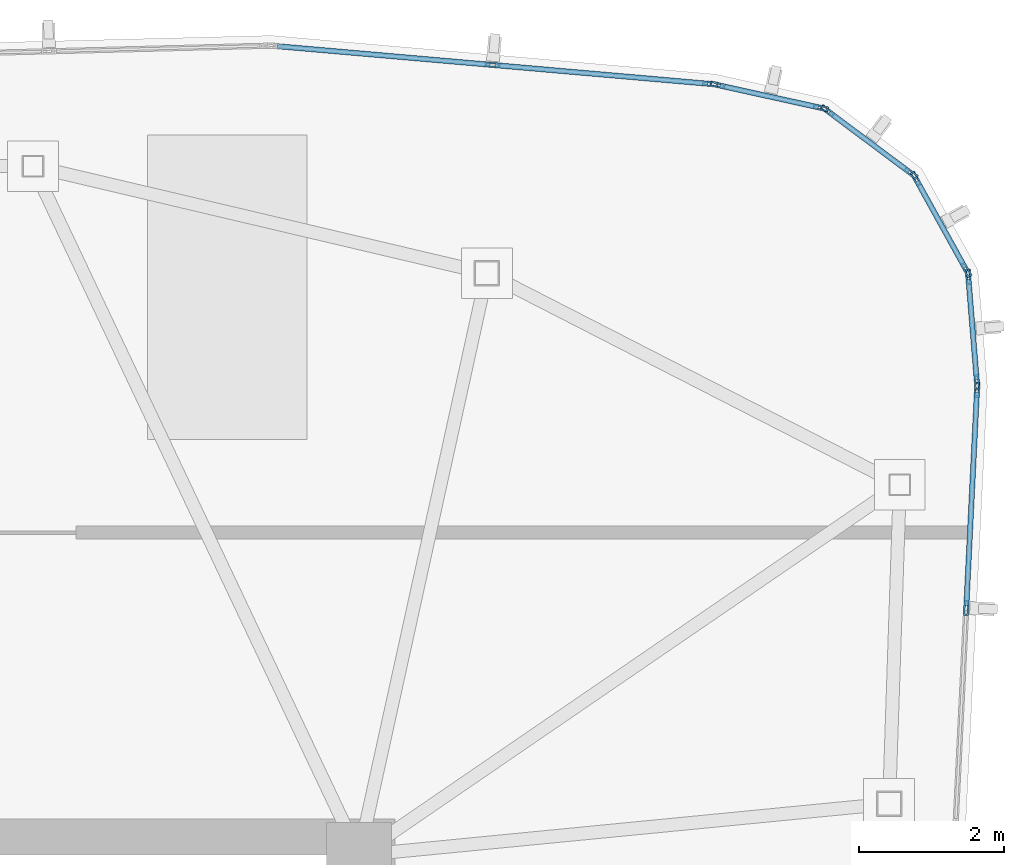
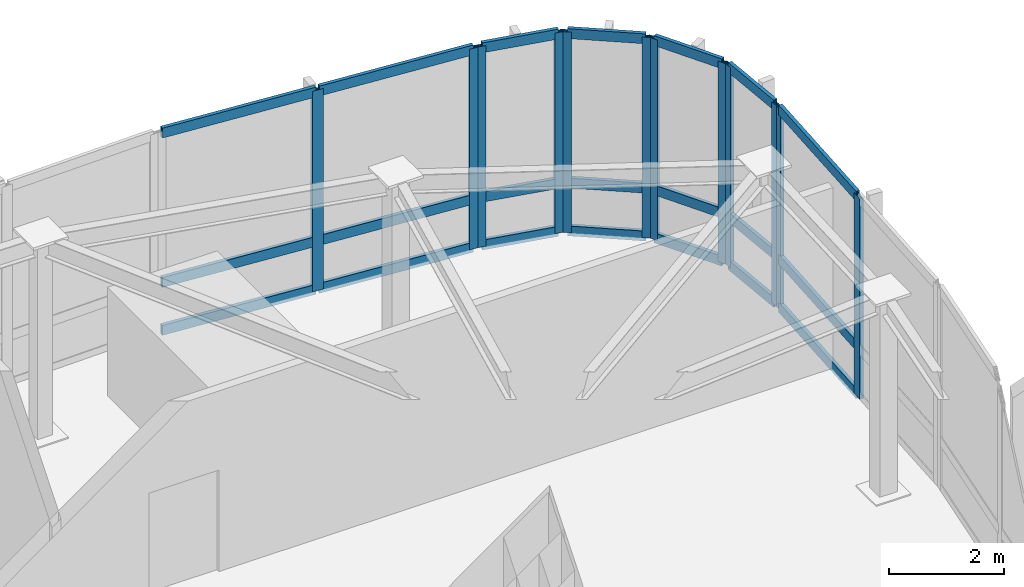
# One storey, part 4 of 10: 33 members, 6 elements without a shape of their own.
"""IFC4 building model written with IfcOpenShell, lengths in metres."""

from ifc_helpers import new_model, si_unit, direction, frame, origin, origin_2d, place, context, subcontext, project, spatial, hollow_rectangle, extrude, source, transform, mapped, material, layer, layer_set, material_profile, profile_set, type_object, type_shapes, element, aggregate, save


model = new_model("IFC4")

# Units and contexts
model_context = context("Model", 3, precision=1e-05, world=origin(), true_north=direction((0.0, 1.0)))
body_context = subcontext(model_context, "Body", "Model", "MODEL_VIEW")
ifc_project = project(units=[si_unit("LENGTHUNIT", "METRE"), si_unit("AREAUNIT", "SQUARE_METRE"), si_unit("VOLUMEUNIT", "CUBIC_METRE"), si_unit("PLANEANGLEUNIT", "RADIAN"), si_unit("MASSUNIT", "GRAM", prefix="KILO")], contexts=[model_context])

# Site, building, storey
site_placement = place(None, origin())
site = spatial("IfcSite", under=ifc_project, at=site_placement, CompositionType="ELEMENT")
building_placement = place(site_placement, origin())
building = spatial("IfcBuilding", under=site, at=building_placement, Name="Tavelor Broadcast Tower", CompositionType="ELEMENT")
storey_placement = place(building_placement, frame((0.0, 0.0, 350.5)))
storey = spatial("IfcBuildingStorey", under=building, at=storey_placement, Name="L83", CompositionType="ELEMENT", Elevation=350.5)

# Curtain wall, members
ifc_material = material(Name="Architectural Anodized Aluminium", Category="aluminium")
ifc_layer = layer(ifc_material, 0.2099609375)
ifc_layer_set = layer_set([ifc_layer], Name="Architectural Anodized Aluminium")
curtain_wall_type = type_object("IfcCurtainWallType", Name="Split-Crown Beacon Curtain Wall CW06", PredefinedType="NOTDEFINED", material=ifc_layer_set)
curtain_wall_1_placement = place(storey_placement, origin())
curtain_wall_1 = element("IfcCurtainWall", 1, at=curtain_wall_1_placement, inside=storey, type_object=curtain_wall_type, Name="L83 Curtain Wall CW06 Run 973", PredefinedType="NOTDEFINED")
ifc_material_profile_1 = material_profile(ifc_material, hollow_rectangle(XDim=0.072021484375, YDim=0.2099609375, WallThickness=0.02197265625, at=origin_2d()), Name="RHS 72x210x22")
ifc_profile_set_1 = profile_set([ifc_material_profile_1], Name="Architectural Anodized Aluminium")
member_type_1 = type_object("IfcMemberType", Name="CW06 Extruded Aluminium Mullion 72x210", PredefinedType="MULLION", material=ifc_profile_set_1)
shared_shape_1 = source(origin(), body_context, "Body", "SweptSolid", [
    extrude(hollow_rectangle(XDim=0.072021484375, YDim=0.2099609375, WallThickness=0.02197265625, at=origin_2d()), origin(), (0.0, 0.0, 1.0), 4.25),
])
type_shapes(member_type_1, [shared_shape_1])
member_1_placement = place(storey_placement, frame((64.974853515625, 54.610107421875, 0.0), z_axis=(0.0, 0.0, 1.0), x_axis=(-0.998788745619, 0.049204081376, 0.0)))
member_1 = element("IfcMember", 2, at=member_1_placement, type_object=member_type_1, Name="CW06 mullion 2", PredefinedType="MULLION", context=body_context, shape_type="MappedRepresentation", body=[
    mapped(shared_shape_1, transform((0.0, 0.0, 0.0), scale=1.0)),
])
member_2_placement = place(storey_placement, frame((65.123291015625, 57.6201171875, 0.0), z_axis=(0.0, 0.0, 1.0), x_axis=(-0.998788745619, 0.049204081376, 0.0)))
member_2 = element("IfcMember", 3, at=member_2_placement, type_object=member_type_1, Name="CW06 mullion 3", PredefinedType="MULLION", context=body_context, shape_type="MappedRepresentation", body=[
    mapped(shared_shape_1, transform((0.0, 0.0, 0.0), scale=1.0)),
])

curtain_wall_2_placement = place(storey_placement, origin())
curtain_wall_2 = element("IfcCurtainWall", 4, at=curtain_wall_2_placement, inside=storey, type_object=curtain_wall_type, Name="L83 Curtain Wall CW06 Run 974", PredefinedType="NOTDEFINED")
member_3_placement = place(storey_placement, frame((65.12158203125, 57.7216796875, 0.0), z_axis=(0.0, 0.0, 1.0), x_axis=(-0.996705118958, -0.081110454581, 0.0)))
member_3 = element("IfcMember", 5, at=member_3_placement, type_object=member_type_1, Name="CW06 mullion 1", PredefinedType="MULLION", context=body_context, shape_type="MappedRepresentation", body=[
    mapped(shared_shape_1, transform((0.0, 0.0, 0.0), scale=1.0)),
])
member_4_placement = place(storey_placement, frame((65.003173828125, 59.17626953125, 0.0), z_axis=(0.0, 0.0, 1.0), x_axis=(-0.996705118958, -0.081110454581, 0.0)))
member_4 = element("IfcMember", 6, at=member_4_placement, type_object=member_type_1, Name="CW06 mullion 2", PredefinedType="MULLION", context=body_context, shape_type="MappedRepresentation", body=[
    mapped(shared_shape_1, transform((0.0, 0.0, 0.0), scale=1.0)),
])

curtain_wall_3_placement = place(storey_placement, origin())
curtain_wall_3 = element("IfcCurtainWall", 7, at=curtain_wall_3_placement, inside=storey, type_object=curtain_wall_type, Name="L83 Curtain Wall CW06 Run 975", PredefinedType="NOTDEFINED")
member_5_placement = place(storey_placement, frame((64.974365234375, 59.271484375, 0.0), z_axis=(0.0, 0.0, 1.0), x_axis=(-0.875030461693, -0.484067857959, 0.0)))
member_5 = element("IfcMember", 8, at=member_5_placement, type_object=member_type_1, Name="CW06 mullion 1", PredefinedType="MULLION", context=body_context, shape_type="MappedRepresentation", body=[
    mapped(shared_shape_1, transform((0.0, 0.0, 0.0), scale=1.0)),
])
member_6_placement = place(storey_placement, frame((64.2783203125, 60.530029296875, 0.0), z_axis=(0.0, 0.0, 1.0), x_axis=(-0.875030461693, -0.484067857959, 0.0)))
member_6 = element("IfcMember", 9, at=member_6_placement, type_object=member_type_1, Name="CW06 mullion 2", PredefinedType="MULLION", context=body_context, shape_type="MappedRepresentation", body=[
    mapped(shared_shape_1, transform((0.0, 0.0, 0.0), scale=1.0)),
])

curtain_wall_4_placement = place(storey_placement, origin())
curtain_wall_4 = element("IfcCurtainWall", 10, at=curtain_wall_4_placement, inside=storey, type_object=curtain_wall_type, Name="L83 Curtain Wall CW06 Run 976", PredefinedType="NOTDEFINED")
member_7_placement = place(storey_placement, frame((64.212646484375, 60.605224609375, 0.0), z_axis=(0.0, 0.0, 1.0), x_axis=(-0.598314173161, -0.801261599102, 0.0)))
member_7 = element("IfcMember", 11, at=member_7_placement, type_object=member_type_1, Name="CW06 mullion 1", PredefinedType="MULLION", context=body_context, shape_type="MappedRepresentation", body=[
    mapped(shared_shape_1, transform((0.0, 0.0, 0.0), scale=1.0)),
])
member_8_placement = place(storey_placement, frame((63.060302734375, 61.465576171875, 0.0), z_axis=(0.0, 0.0, 1.0), x_axis=(-0.598314173161, -0.801261599102, 0.0)))
member_8 = element("IfcMember", 12, at=member_8_placement, type_object=member_type_1, Name="CW06 mullion 2", PredefinedType="MULLION", context=body_context, shape_type="MappedRepresentation", body=[
    mapped(shared_shape_1, transform((0.0, 0.0, 0.0), scale=1.0)),
])

curtain_wall_5_placement = place(storey_placement, origin())
curtain_wall_5 = element("IfcCurtainWall", 13, at=curtain_wall_5_placement, inside=storey, type_object=curtain_wall_type, Name="L83 Curtain Wall CW06 Run 977", PredefinedType="NOTDEFINED")
member_9_placement = place(storey_placement, frame((62.9697265625, 61.507080078125, 0.0), z_axis=(0.0, 0.0, 1.0), x_axis=(-0.215657856069, -0.97646899035, 0.0)))
member_9 = element("IfcMember", 14, at=member_9_placement, type_object=member_type_1, Name="CW06 mullion 1", PredefinedType="MULLION", context=body_context, shape_type="MappedRepresentation", body=[
    mapped(shared_shape_1, transform((0.0, 0.0, 0.0), scale=1.0)),
])
member_10_placement = place(storey_placement, frame((61.544921875, 61.82177734375, 0.0), z_axis=(0.0, 0.0, 1.0), x_axis=(-0.215657856069, -0.97646899035, 0.0)))
member_10 = element("IfcMember", 15, at=member_10_placement, type_object=member_type_1, Name="CW06 mullion 2", PredefinedType="MULLION", context=body_context, shape_type="MappedRepresentation", body=[
    mapped(shared_shape_1, transform((0.0, 0.0, 0.0), scale=1.0)),
])

curtain_wall_6_placement = place(storey_placement, origin())
curtain_wall_6 = element("IfcCurtainWall", 16, at=curtain_wall_6_placement, inside=storey, type_object=curtain_wall_type, Name="L83 Curtain Wall CW06 Run 978", PredefinedType="NOTDEFINED")
member_11_placement = place(storey_placement, frame((61.4443359375, 61.837158203125, 0.0), z_axis=(0.0, 0.0, 1.0), x_axis=(-0.086800835673, -0.996225684735, 0.0)))
member_11 = element("IfcMember", 17, at=member_11_placement, type_object=member_type_1, Name="CW06 mullion 1", PredefinedType="MULLION", context=body_context, shape_type="MappedRepresentation", body=[
    mapped(shared_shape_1, transform((0.0, 0.0, 0.0), scale=1.0)),
])
member_12_placement = place(storey_placement, frame((58.442138671875, 62.098876953125, 0.0), z_axis=(0.0, 0.0, 1.0), x_axis=(-0.086800835673, -0.996225684735, 0.0)))
member_12 = element("IfcMember", 18, at=member_12_placement, type_object=member_type_1, Name="CW06 mullion 2", PredefinedType="MULLION", context=body_context, shape_type="MappedRepresentation", body=[
    mapped(shared_shape_1, transform((0.0, 0.0, 0.0), scale=1.0)),
])

# Member
ifc_material_profile_2 = material_profile(ifc_material, hollow_rectangle(XDim=0.072021484375, YDim=0.2099609375, WallThickness=0.02197265625, at=origin_2d()), Name="RHS 72x210x22")
ifc_profile_set_2 = profile_set([ifc_material_profile_2], Name="Architectural Anodized Aluminium")
member_type_2 = type_object("IfcMemberType", Name="CW06 Extruded Aluminium Transom 72x210", PredefinedType="USERDEFINED", material=ifc_profile_set_2)
shared_shape_2 = source(origin(), body_context, "Body", "SweptSolid", [
    extrude(hollow_rectangle(XDim=0.072021484375, YDim=0.2099609375, WallThickness=0.02197265625, at=origin_2d()), origin(), (0.0, 0.0, 1.0), 2.941650390625),
])
member_13_placement = place(storey_placement, frame((64.976806640625, 54.64599609375, 0.035888671875), z_axis=(0.049134532516, 0.99879216943, 0.0), x_axis=(-0.99879216943, 0.049134532516, 0.0)))
member_13 = element("IfcMember", 19, at=member_13_placement, type_object=member_type_2, Name="CW06 transom 2.1", ObjectType="TRANSOM", PredefinedType="USERDEFINED", context=body_context, shape_type="MappedRepresentation", body=[
    mapped(shared_shape_2, transform((0.0, 0.0, 0.0), scale=1.0)),
])

member_14_placement = place(storey_placement, frame((64.976806640625, 54.64599609375, 1.050048828125), z_axis=(0.049134532516, 0.99879216943, 0.0), x_axis=(-0.99879216943, 0.049134532516, 0.0)))
member_14 = element("IfcMember", 20, at=member_14_placement, type_object=member_type_2, Name="CW06 transom 2.2", ObjectType="TRANSOM", PredefinedType="USERDEFINED", context=body_context, shape_type="MappedRepresentation", body=[
    mapped(shared_shape_2, transform((0.0, 0.0, 0.0), scale=1.0)),
])

member_15_placement = place(storey_placement, frame((64.976806640625, 54.64599609375, 4.214111328125), z_axis=(0.049134532516, 0.99879216943, 0.0), x_axis=(-0.99879216943, 0.049134532516, 0.0)))
member_15 = element("IfcMember", 21, at=member_15_placement, type_object=member_type_2, Name="CW06 transom 2.3", ObjectType="TRANSOM", PredefinedType="USERDEFINED", context=body_context, shape_type="MappedRepresentation", body=[
    mapped(shared_shape_2, transform((0.0, 0.0, 0.0), scale=1.0)),
])

aggregate(curtain_wall_1, [member_1, member_2, member_13, member_14, member_15])

shared_shape_3 = source(origin(), body_context, "Body", "SweptSolid", [
    extrude(hollow_rectangle(XDim=0.072021484375, YDim=0.2099609375, WallThickness=0.02197265625, at=origin_2d()), origin(), (0.0, 0.0, 1.0), 1.38720703125),
])
member_16_placement = place(storey_placement, frame((62.9345703125, 61.514892578125, 0.035888671875), z_axis=(-0.976480196692, 0.215607109039, 0.0), x_axis=(-0.215607109039, -0.976480196692, 0.0)))
member_16 = element("IfcMember", 22, at=member_16_placement, type_object=member_type_2, Name="CW06 transom 1.1", ObjectType="TRANSOM", PredefinedType="USERDEFINED", context=body_context, shape_type="MappedRepresentation", body=[
    mapped(shared_shape_3, transform((0.0, 0.0, 0.0), scale=1.0)),
])

member_17_placement = place(storey_placement, frame((62.9345703125, 61.514892578125, 1.050048828125), z_axis=(-0.976480196692, 0.215607109039, 0.0), x_axis=(-0.215607109039, -0.976480196692, 0.0)))
member_17 = element("IfcMember", 23, at=member_17_placement, type_object=member_type_2, Name="CW06 transom 1.2", ObjectType="TRANSOM", PredefinedType="USERDEFINED", context=body_context, shape_type="MappedRepresentation", body=[
    mapped(shared_shape_3, transform((0.0, 0.0, 0.0), scale=1.0)),
])

member_18_placement = place(storey_placement, frame((62.9345703125, 61.514892578125, 4.214111328125), z_axis=(-0.976480196692, 0.215607109039, 0.0), x_axis=(-0.215607109039, -0.976480196692, 0.0)))
member_18 = element("IfcMember", 24, at=member_18_placement, type_object=member_type_2, Name="CW06 transom 1.3", ObjectType="TRANSOM", PredefinedType="USERDEFINED", context=body_context, shape_type="MappedRepresentation", body=[
    mapped(shared_shape_3, transform((0.0, 0.0, 0.0), scale=1.0)),
])

aggregate(curtain_wall_5, [member_9, member_10, member_16, member_17, member_18])

shared_shape_4 = source(origin(), body_context, "Body", "SweptSolid", [
    extrude(hollow_rectangle(XDim=0.072021484375, YDim=0.2099609375, WallThickness=0.02197265625, at=origin_2d()), origin(), (0.0, 0.0, 1.0), 1.365966796875),
])
member_19_placement = place(storey_placement, frame((64.95703125, 59.30322265625, 0.035888671875), z_axis=(-0.484139993207, 0.874990552507, 0.0), x_axis=(-0.874990552507, -0.484139993207, 0.0)))
member_19 = element("IfcMember", 25, at=member_19_placement, type_object=member_type_2, Name="CW06 transom 1.1", ObjectType="TRANSOM", PredefinedType="USERDEFINED", context=body_context, shape_type="MappedRepresentation", body=[
    mapped(shared_shape_4, transform((0.0, 0.0, 0.0), scale=1.0)),
])

member_20_placement = place(storey_placement, frame((64.95703125, 59.30322265625, 1.050048828125), z_axis=(-0.484139993207, 0.874990552507, 0.0), x_axis=(-0.874990552507, -0.484139993207, 0.0)))
member_20 = element("IfcMember", 26, at=member_20_placement, type_object=member_type_2, Name="CW06 transom 1.2", ObjectType="TRANSOM", PredefinedType="USERDEFINED", context=body_context, shape_type="MappedRepresentation", body=[
    mapped(shared_shape_4, transform((0.0, 0.0, 0.0), scale=1.0)),
])

member_21_placement = place(storey_placement, frame((64.95703125, 59.30322265625, 4.214111328125), z_axis=(-0.484139993207, 0.874990552507, 0.0), x_axis=(-0.874990552507, -0.484139993207, 0.0)))
member_21 = element("IfcMember", 27, at=member_21_placement, type_object=member_type_2, Name="CW06 transom 1.3", ObjectType="TRANSOM", PredefinedType="USERDEFINED", context=body_context, shape_type="MappedRepresentation", body=[
    mapped(shared_shape_4, transform((0.0, 0.0, 0.0), scale=1.0)),
])

aggregate(curtain_wall_3, [member_5, member_6, member_19, member_20, member_21])

shared_shape_5 = source(origin(), body_context, "Body", "SweptSolid", [
    extrude(hollow_rectangle(XDim=0.072021484375, YDim=0.2099609375, WallThickness=0.02197265625, at=origin_2d()), origin(), (0.0, 0.0, 1.0), 1.3662109375),
])
member_22_placement = place(storey_placement, frame((64.183837890625, 60.626708984375, 0.035888671875), z_axis=(-0.801284790996, 0.598283113349, 0.0), x_axis=(-0.598283113349, -0.801284790996, 0.0)))
member_22 = element("IfcMember", 28, at=member_22_placement, type_object=member_type_2, Name="CW06 transom 1.1", ObjectType="TRANSOM", PredefinedType="USERDEFINED", context=body_context, shape_type="MappedRepresentation", body=[
    mapped(shared_shape_5, transform((0.0, 0.0, 0.0), scale=1.0)),
])

member_23_placement = place(storey_placement, frame((64.183837890625, 60.626708984375, 1.050048828125), z_axis=(-0.801284790996, 0.598283113349, 0.0), x_axis=(-0.598283113349, -0.801284790996, 0.0)))
member_23 = element("IfcMember", 29, at=member_23_placement, type_object=member_type_2, Name="CW06 transom 1.2", ObjectType="TRANSOM", PredefinedType="USERDEFINED", context=body_context, shape_type="MappedRepresentation", body=[
    mapped(shared_shape_5, transform((0.0, 0.0, 0.0), scale=1.0)),
])

member_24_placement = place(storey_placement, frame((64.183837890625, 60.626708984375, 4.214111328125), z_axis=(-0.801284790996, 0.598283113349, 0.0), x_axis=(-0.598283113349, -0.801284790996, 0.0)))
member_24 = element("IfcMember", 30, at=member_24_placement, type_object=member_type_2, Name="CW06 transom 1.3", ObjectType="TRANSOM", PredefinedType="USERDEFINED", context=body_context, shape_type="MappedRepresentation", body=[
    mapped(shared_shape_5, transform((0.0, 0.0, 0.0), scale=1.0)),
])

aggregate(curtain_wall_4, [member_7, member_8, member_22, member_23, member_24])

shared_shape_6 = source(origin(), body_context, "Body", "SweptSolid", [
    extrude(hollow_rectangle(XDim=0.072021484375, YDim=0.2099609375, WallThickness=0.02197265625, at=origin_2d()), origin(), (0.0, 0.0, 1.0), 2.94140625),
])
member_25_placement = place(storey_placement, frame((61.408447265625, 61.84033203125, 0.035888671875), z_axis=(-0.996224376066, 0.08681585415, 0.0), x_axis=(-0.08681585415, -0.996224376066, 0.0)))
member_25 = element("IfcMember", 31, at=member_25_placement, type_object=member_type_2, Name="CW06 transom 1.1", ObjectType="TRANSOM", PredefinedType="USERDEFINED", context=body_context, shape_type="MappedRepresentation", body=[
    mapped(shared_shape_6, transform((0.0, 0.0, 0.0), scale=1.0)),
])

member_26_placement = place(storey_placement, frame((61.408447265625, 61.84033203125, 1.050048828125), z_axis=(-0.996224376066, 0.08681585415, 0.0), x_axis=(-0.08681585415, -0.996224376066, 0.0)))
member_26 = element("IfcMember", 32, at=member_26_placement, type_object=member_type_2, Name="CW06 transom 1.2", ObjectType="TRANSOM", PredefinedType="USERDEFINED", context=body_context, shape_type="MappedRepresentation", body=[
    mapped(shared_shape_6, transform((0.0, 0.0, 0.0), scale=1.0)),
])

member_27_placement = place(storey_placement, frame((61.408447265625, 61.84033203125, 4.214111328125), z_axis=(-0.996224376066, 0.08681585415, 0.0), x_axis=(-0.08681585415, -0.996224376066, 0.0)))
member_27 = element("IfcMember", 33, at=member_27_placement, type_object=member_type_2, Name="CW06 transom 1.3", ObjectType="TRANSOM", PredefinedType="USERDEFINED", context=body_context, shape_type="MappedRepresentation", body=[
    mapped(shared_shape_6, transform((0.0, 0.0, 0.0), scale=1.0)),
])

member_28_placement = place(storey_placement, frame((58.40625, 62.101806640625, 0.035888671875), z_axis=(-0.996224376066, 0.08681585415, 0.0), x_axis=(-0.08681585415, -0.996224376066, 0.0)))
member_28 = element("IfcMember", 34, at=member_28_placement, type_object=member_type_2, Name="CW06 transom 2.1", ObjectType="TRANSOM", PredefinedType="USERDEFINED", context=body_context, shape_type="MappedRepresentation", body=[
    mapped(shared_shape_6, transform((0.0, 0.0, 0.0), scale=1.0)),
])

member_29_placement = place(storey_placement, frame((58.40625, 62.101806640625, 1.050048828125), z_axis=(-0.996224376066, 0.08681585415, 0.0), x_axis=(-0.08681585415, -0.996224376066, 0.0)))
member_29 = element("IfcMember", 35, at=member_29_placement, type_object=member_type_2, Name="CW06 transom 2.2", ObjectType="TRANSOM", PredefinedType="USERDEFINED", context=body_context, shape_type="MappedRepresentation", body=[
    mapped(shared_shape_6, transform((0.0, 0.0, 0.0), scale=1.0)),
])

member_30_placement = place(storey_placement, frame((58.40625, 62.101806640625, 4.214111328125), z_axis=(-0.996224376066, 0.08681585415, 0.0), x_axis=(-0.08681585415, -0.996224376066, 0.0)))
member_30 = element("IfcMember", 36, at=member_30_placement, type_object=member_type_2, Name="CW06 transom 2.3", ObjectType="TRANSOM", PredefinedType="USERDEFINED", context=body_context, shape_type="MappedRepresentation", body=[
    mapped(shared_shape_6, transform((0.0, 0.0, 0.0), scale=1.0)),
])

aggregate(curtain_wall_6, [member_11, member_12, member_25, member_26, member_27, member_28, member_29, member_30])

shared_shape_7 = source(origin(), body_context, "Body", "SweptSolid", [
    extrude(hollow_rectangle(XDim=0.072021484375, YDim=0.2099609375, WallThickness=0.02197265625, at=origin_2d()), origin(), (0.0, 0.0, 1.0), 1.387451171875),
])
type_shapes(member_type_2, [shared_shape_2, shared_shape_3, shared_shape_4, shared_shape_5, shared_shape_6, shared_shape_7])
member_31_placement = place(storey_placement, frame((65.11865234375, 57.757568359375, 0.035888671875), z_axis=(-0.08112298547, 0.996704099133, 0.0), x_axis=(-0.996704099133, -0.08112298547, 0.0)))
member_31 = element("IfcMember", 37, at=member_31_placement, type_object=member_type_2, Name="CW06 transom 1.1", ObjectType="TRANSOM", PredefinedType="USERDEFINED", context=body_context, shape_type="MappedRepresentation", body=[
    mapped(shared_shape_7, transform((0.0, 0.0, 0.0), scale=1.0)),
])

member_32_placement = place(storey_placement, frame((65.11865234375, 57.757568359375, 1.050048828125), z_axis=(-0.08112298547, 0.996704099133, 0.0), x_axis=(-0.996704099133, -0.08112298547, 0.0)))
member_32 = element("IfcMember", 38, at=member_32_placement, type_object=member_type_2, Name="CW06 transom 1.2", ObjectType="TRANSOM", PredefinedType="USERDEFINED", context=body_context, shape_type="MappedRepresentation", body=[
    mapped(shared_shape_7, transform((0.0, 0.0, 0.0), scale=1.0)),
])

member_33_placement = place(storey_placement, frame((65.11865234375, 57.757568359375, 4.214111328125), z_axis=(-0.08112298547, 0.996704099133, 0.0), x_axis=(-0.996704099133, -0.08112298547, 0.0)))
member_33 = element("IfcMember", 39, at=member_33_placement, type_object=member_type_2, Name="CW06 transom 1.3", ObjectType="TRANSOM", PredefinedType="USERDEFINED", context=body_context, shape_type="MappedRepresentation", body=[
    mapped(shared_shape_7, transform((0.0, 0.0, 0.0), scale=1.0)),
])

aggregate(curtain_wall_2, [member_3, member_4, member_31, member_32, member_33])

save(model, "model.ifc")
